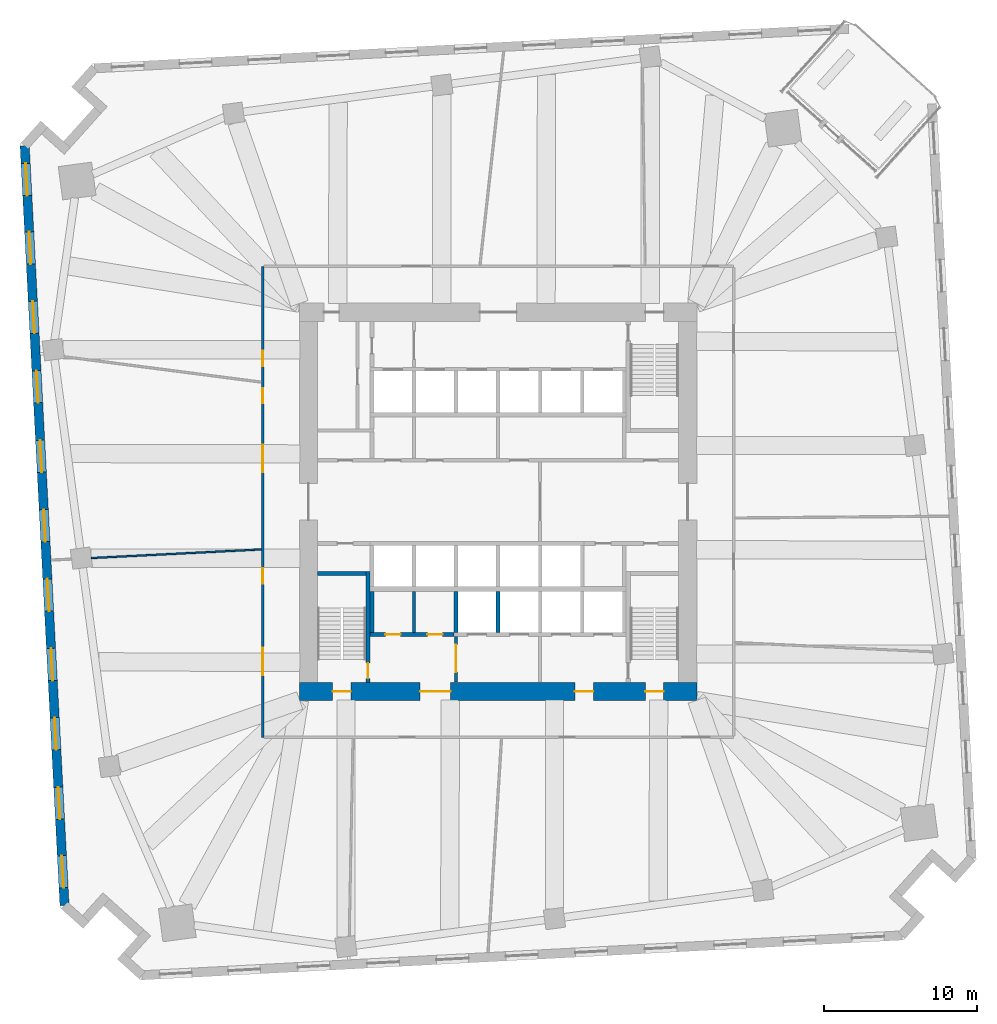
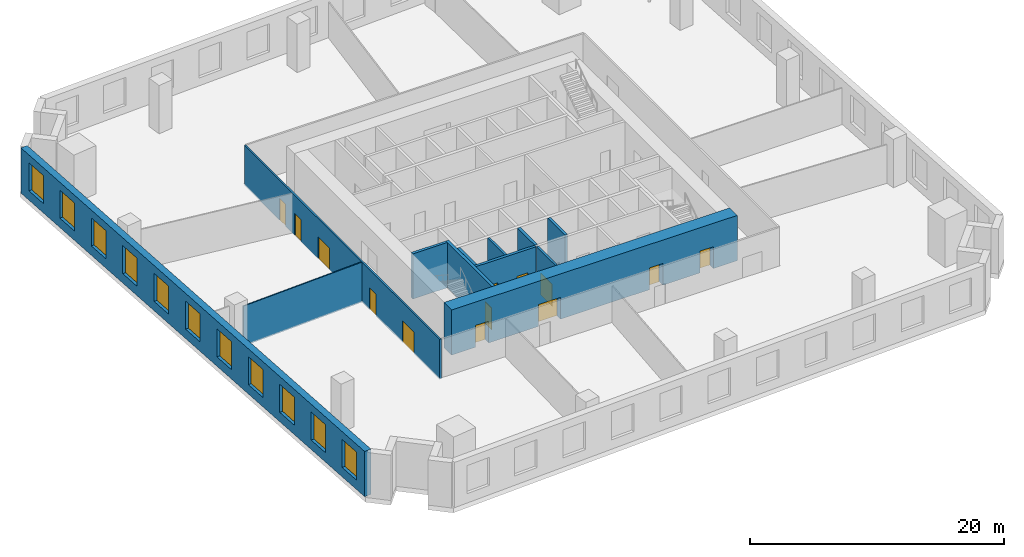
# One storey, part 4 of 10: 13 doors, 12 walls, 11 windows, 24 openings.
"""IFC4 building model written with IfcOpenShell, lengths in metres."""

import ifcopenshell
import ifcopenshell.guid

model = None  # the IFC model being written
_history = None  # IfcOwnerHistory: only IFC2X3 demands one
_inside = {}  # id of a spatial element -> (the spatial element, [elements in it])
_under = {}  # id of a project, library or spatial element -> (it, [spatial elements below it])
_declared = {}  # id of a project -> (the project, [libraries it declares])
_typed = {}  # id of a type object -> (the type object, [elements of that type])
_made_of = {}  # id of a material, layer set ... -> (it, [elements and type objects made of it])


def new_model(schema):
    """Start an empty IFC model of exactly this schema.

    Asked for "IFC4X3", IfcOpenShell would pick the latest addendum, in which some entities
    have other attributes; the version numbers below select the first issue.
    IFC2X3 requires an IfcOwnerHistory on every rooted entity: one is made here for all.
    """
    global model, _history
    if schema == "IFC4X3":
        model = ifcopenshell.file(schema_version=(4, 3, 0, 0))
    else:
        model = ifcopenshell.file(schema=schema)
    _inside.clear()
    _under.clear()
    _declared.clear()
    _typed.clear()
    _made_of.clear()
    _history = None
    if model.schema == "IFC2X3":
        org = make("IfcOrganization", Name="unknown")
        user = make(
            "IfcPersonAndOrganization",
            ThePerson=make("IfcPerson", FamilyName="unknown"),
            TheOrganization=org,
        )
        app = make(
            "IfcApplication",
            ApplicationDeveloper=org,
            Version="unknown",
            ApplicationFullName="unknown",
            ApplicationIdentifier="unknown",
        )
        _history = make(
            "IfcOwnerHistory",
            OwningUser=user,
            OwningApplication=app,
            ChangeAction="ADDED",
            CreationDate=0,
        )
    return model


def make(cls, **values):
    """One entity of the class cls with the attributes given. An attribute that is None is left unset."""
    return model.create_entity(
        cls, **{name: value for name, value in values.items() if value is not None}
    )


def rooted(cls, **values):
    """An entity with a GlobalId (a new one), such as an element, a storey or a relation."""
    return make(cls, GlobalId=ifcopenshell.guid.new(), OwnerHistory=_history, **values)


def si_unit(unit_type, name, prefix=None):
    """IfcSIUnit, for example si_unit("LENGTHUNIT", "METRE", prefix="MILLI")."""
    return make("IfcSIUnit", UnitType=unit_type, Prefix=prefix, Name=name)


def assignment(units):
    """IfcUnitAssignment: the units of a project."""
    return None if units is None else make("IfcUnitAssignment", Units=units)


def point(xyz):
    """IfcCartesianPoint."""
    return None if xyz is None else make("IfcCartesianPoint", Coordinates=xyz)


def direction(xyz):
    """IfcDirection."""
    return None if xyz is None else make("IfcDirection", DirectionRatios=xyz)


def frame(location, z_axis=None, x_axis=None):
    """IfcAxis2Placement3D, a coordinate frame: its origin and axes. An axis left out is left unset."""
    return make(
        "IfcAxis2Placement3D",
        Location=point(location),
        Axis=direction(z_axis),
        RefDirection=direction(x_axis),
    )


def frame_2d(location, x_axis=None):
    """IfcAxis2Placement2D, a coordinate frame in the plane: its origin and x axis."""
    return make(
        "IfcAxis2Placement2D", Location=point(location), RefDirection=direction(x_axis)
    )


def origin():
    """The frame at (0, 0, 0) with its axes left unset."""
    return frame((0.0, 0.0, 0.0))


def place(relative_to, where):
    """IfcLocalPlacement: puts the frame where relative to a parent placement (None: the world)."""
    return make(
        "IfcLocalPlacement", PlacementRelTo=relative_to, RelativePlacement=where
    )


def context(
    kind, dimensions, precision=None, world=None, true_north=None, identifier=None
):
    """IfcGeometricRepresentationContext, for example the 3D "Model" context."""
    return make(
        "IfcGeometricRepresentationContext",
        ContextIdentifier=identifier,
        ContextType=kind,
        CoordinateSpaceDimension=dimensions,
        Precision=precision,
        WorldCoordinateSystem=world,
        TrueNorth=true_north,
    )


def subcontext(parent, identifier, kind, view, scale=None):
    """IfcGeometricRepresentationSubContext, for example "Body" below "Model"."""
    return make(
        "IfcGeometricRepresentationSubContext",
        ContextIdentifier=identifier,
        ContextType=kind,
        ParentContext=parent,
        TargetScale=scale,
        TargetView=view,
    )


def project(units=None, contexts=None):
    """IfcProject with its units and contexts."""
    return rooted(
        "IfcProject",
        Name="project",
        RepresentationContexts=contexts,
        UnitsInContext=assignment(units),
    )


def spatial(cls, under=None, at=None, **own):
    """A site, building, storey or space (cls), placed at a placement, below another one or the project."""
    s = rooted(cls, ObjectPlacement=at, **own)
    if under is not None:
        _under.setdefault(under.id(), (under, []))[1].append(s)
    return s


def profile(cls, at=None, kind="AREA", **sizes):
    """A parametric profile (cls). Its sizes go by their IFC names, for example OverallWidth=200.0."""
    return make(cls, ProfileType=kind, Position=at, **sizes)


def rectangle(**sizes):
    """IfcRectangleProfileDef."""
    return profile("IfcRectangleProfileDef", **sizes)


def extrude(swept, where, along, depth):
    """IfcExtrudedAreaSolid: the profile swept, set in the frame where, extruded along a direction by depth."""
    return make(
        "IfcExtrudedAreaSolid",
        SweptArea=swept,
        Position=where,
        ExtrudedDirection=direction(along),
        Depth=depth,
    )


def shape(context_of_items, identifier, shape_type, items):
    """IfcShapeRepresentation: the items that make up one representation, for example the "Body"."""
    return make(
        "IfcShapeRepresentation",
        ContextOfItems=context_of_items,
        RepresentationIdentifier=identifier,
        RepresentationType=shape_type,
        Items=items,
    )


def material(Name=None, Category=None):
    """IfcMaterial."""
    return make("IfcMaterial", Name=Name, Category=Category)


def layer(
    of_material, thickness, ventilated=None, Name=None, Category=None, Priority=None
):
    """IfcMaterialLayer: one layer of a wall or slab, of a material (None: an air gap)."""
    return make(
        "IfcMaterialLayer",
        Material=of_material,
        LayerThickness=thickness,
        IsVentilated=ventilated,
        Name=Name,
        Category=Category,
        Priority=Priority,
    )


def layer_set(layers, Name=None):
    """IfcMaterialLayerSet."""
    return make("IfcMaterialLayerSet", MaterialLayers=layers, LayerSetName=Name)


def made_of(thing, what):
    """Note that an element or type object is made of a material, layer set ...; save() writes the relation."""
    if what is not None:
        _made_of.setdefault(what.id(), (what, []))[1].append(thing)
    return thing


def type_object(cls, material=None, **own):
    """A type object (cls), such as IfcWallType, which elements share."""
    return made_of(rooted(cls, **own), material)


def element(
    cls,
    number,
    at=None,
    inside=None,
    cuts=None,
    type_object=None,
    material=None,
    context=None,
    identifier="Body",
    shape_type=None,
    held_by="IfcProductDefinitionShape",
    body=None,
    shapes=None,
    **own,
):
    """One element of the class cls, such as IfcWall. Its Tag is "e" and its number.

    at: its placement. inside: the storey or other place that contains it. cuts: it is an
    opening in that element (IfcRelVoidsElement). A single representation is given by context,
    identifier, shape_type and body (its items); several are given by shapes. held_by: the class
    of the entity that holds the representations. save() writes the other relations.
    """
    e = rooted(cls, Tag="e%d" % number, ObjectPlacement=at, **own)
    if body is not None:
        shapes = [shape(context, identifier, shape_type, body)]
    if shapes is not None:
        e.Representation = make(held_by, Representations=shapes)
    if inside is not None:
        _inside.setdefault(inside.id(), (inside, []))[1].append(e)
    if cuts is not None:
        rooted(
            "IfcRelVoidsElement", RelatingBuildingElement=cuts, RelatedOpeningElement=e
        )
    if type_object is not None:
        _typed.setdefault(type_object.id(), (type_object, []))[1].append(e)
    return made_of(e, material)


def fill(opening, filler):
    """IfcRelFillsElement: the door or window that sits in an opening."""
    return rooted(
        "IfcRelFillsElement",
        RelatingOpeningElement=opening,
        RelatedBuildingElement=filler,
    )


def aggregate(whole, parts):
    """IfcRelAggregates: a whole, such as a stair, and the parts it consists of."""
    return rooted("IfcRelAggregates", RelatingObject=whole, RelatedObjects=parts)


def save(model, path):
    """Write the relations noted so far, then the file.

    IfcRelAggregates (storeys below a building ...), IfcRelContainedInSpatialStructure (elements
    in a storey), IfcRelDefinesByType, IfcRelAssociatesMaterial and IfcRelDeclares: one each for
    every whole, place, type object, material and project.
    """
    for whole, parts in _under.values():
        aggregate(whole, parts)
    for where, things in _inside.values():
        rooted(
            "IfcRelContainedInSpatialStructure",
            RelatedElements=things,
            RelatingStructure=where,
        )
    for kind, things in _typed.values():
        rooted("IfcRelDefinesByType", RelatedObjects=things, RelatingType=kind)
    for what, things in _made_of.values():
        rooted("IfcRelAssociatesMaterial", RelatedObjects=things, RelatingMaterial=what)
    for by, libraries in _declared.values():
        rooted("IfcRelDeclares", RelatingContext=by, RelatedDefinitions=libraries)
    model.write(path)


model = new_model("IFC4")

# Units and contexts
model_context = context("Model", 3, precision=1e-05, world=origin(), true_north=direction((0.0, 1.0)))
body_context = subcontext(model_context, "Body", "Model", "MODEL_VIEW")
ifc_project = project(units=[si_unit("LENGTHUNIT", "METRE"), si_unit("AREAUNIT", "SQUARE_METRE"), si_unit("VOLUMEUNIT", "CUBIC_METRE"), si_unit("PLANEANGLEUNIT", "RADIAN"), si_unit("MASSUNIT", "GRAM", prefix="KILO")], contexts=[model_context])

# Site, building, storey
site_placement = place(None, origin())
site = spatial("IfcSite", under=ifc_project, at=site_placement, CompositionType="ELEMENT")
building_placement = place(site_placement, origin())
building = spatial("IfcBuilding", under=site, at=building_placement, Name="Dilmun Exchange Tower", CompositionType="ELEMENT")
storey_placement = place(building_placement, frame((0.0, 0.0, 32.10009765625)))
storey = spatial("IfcBuildingStorey", under=building, at=storey_placement, Name="L07", CompositionType="ELEMENT", Elevation=32.10009765625)

# Wall, opening, door
ifc_material_1 = material(Name="Concrete C40/50", Category="concrete")
ifc_layer_1 = layer(ifc_material_1, 0.199951171875)
ifc_layer_set_1 = layer_set([ifc_layer_1], Name="Concrete C40/50")
wall_type_1 = type_object("IfcWallType", Name="Core partition wall 200", PredefinedType="PARTITIONING", material=ifc_layer_set_1)
wall_1_placement = place(storey_placement, frame((-2.75, -11.794921875, 0.0), z_axis=(0.0, 0.0, 1.0), x_axis=(0.0, 1.0, 0.0)))
wall_1 = element("IfcWall", 1, at=wall_1_placement, inside=storey, type_object=wall_type_1, Name="L07 core partition wall 01", PredefinedType="PARTITIONING", context=body_context, shape_type="SweptSolid", body=[
    extrude(rectangle(XDim=2.989990234375, YDim=0.199951171875, at=frame_2d((1.4951171875, 0.0))), origin(), (0.0, 0.0, 1.0), 4.349853515625),
])
opening_1_placement = place(wall_1_placement, frame((0.657470703125, 0.0, 0.0)))
opening_1 = element("IfcOpeningElement", 2, at=opening_1_placement, cuts=wall_1, Name="Opening CD5", PredefinedType="OPENING", context=body_context, shape_type="SweptSolid", body=[
    extrude(rectangle(XDim=1.800048828125, YDim=2.10009765625, at=frame_2d((0.89990234375, 1.050048828125))), frame((0.0, 0.10986328125, 0.0), z_axis=(0.0, -1.0, 0.0), x_axis=(1.0, 0.0, 0.0)), (0.0, 0.0, 1.0), 0.219970703125),
])
ifc_material_2 = material(Name="Fire-rated steel door set", Category="steel")
door_type_1 = type_object("IfcDoorType", Name="Stair exit door 1800x2100", OperationType="SINGLE_SWING_LEFT", PredefinedType="DOOR", material=ifc_material_2)
door_1_placement = place(opening_1_placement, origin())
door_1 = element("IfcDoor", 3, at=door_1_placement, inside=storey, type_object=door_type_1, Name="L07 door Service lobby east", OperationType="SINGLE_SWING_LEFT", OverallHeight=2.10009765625, OverallWidth=1.800048828125, PredefinedType="DOOR", context=body_context, shape_type="SweptSolid", body=[
    extrude(rectangle(XDim=1.800048828125, YDim=2.10009765625, at=frame_2d((0.89990234375, 1.050048828125))), frame((0.0, 0.02490234375, 0.0), z_axis=(0.0, -1.0, 0.0), x_axis=(1.0, 0.0, 0.0)), (0.0, 0.0, 1.0), 0.050048828125),
])
fill(opening_1, door_1)

# Wall
wall_2_placement = place(storey_placement, frame((-5.5, -8.544921875, 0.0), z_axis=(0.0, 0.0, 1.0), x_axis=(0.0, 1.0, 0.0)))
element("IfcWall", 4, at=wall_2_placement, inside=storey, type_object=wall_type_1, Name="L07 core partition wall 05", PredefinedType="PARTITIONING", context=body_context, shape_type="SweptSolid", body=[
    extrude(rectangle(XDim=2.68994140625, YDim=0.199951171875, at=frame_2d((1.344970703125, 0.0))), origin(), (0.0, 0.0, 1.0), 4.349853515625),
])

# Wall, openings, doors
ifc_layer_2 = layer(ifc_material_1, 0.25)
ifc_layer_set_2 = layer_set([ifc_layer_2], Name="Concrete C40/50")
wall_type_2 = type_object("IfcWallType", Name="Core partition wall 250", PredefinedType="PARTITIONING", material=ifc_layer_set_2)
wall_3_placement = place(storey_placement, frame((-8.3701171875, -8.675048828125, 0.0), z_axis=(0.0, 0.0, 1.0), x_axis=(1.0, 0.0, 0.0)))
wall_3 = element("IfcWall", 5, at=wall_3_placement, inside=storey, type_object=wall_type_2, Name="L07 core partition wall 03", PredefinedType="PARTITIONING", context=body_context, shape_type="SweptSolid", body=[
    extrude(rectangle(XDim=5.490234375, YDim=0.25, at=frame_2d((2.7451171875, 0.0))), origin(), (0.0, 0.0, 1.0), 4.349853515625),
])
opening_2_placement = place(wall_3_placement, frame((0.9951171875, 0.0, 0.0)))
opening_2 = element("IfcOpeningElement", 6, at=opening_2_placement, cuts=wall_3, Name="Opening CD4", PredefinedType="OPENING", context=body_context, shape_type="SweptSolid", body=[
    extrude(rectangle(XDim=1.0, YDim=2.10009765625, at=frame_2d((0.5, 1.050048828125))), frame((0.0, 0.135009765625, 0.0), z_axis=(0.0, -1.0, 0.0), x_axis=(1.0, 0.0, 0.0)), (0.0, 0.0, 1.0), 0.27001953125),
])
opening_3_placement = place(wall_3_placement, frame((3.7451171875, 0.0, 0.0)))
opening_3 = element("IfcOpeningElement", 7, at=opening_3_placement, cuts=wall_3, Name="Opening CD4", PredefinedType="OPENING", context=body_context, shape_type="SweptSolid", body=[
    extrude(rectangle(XDim=1.0, YDim=2.10009765625, at=frame_2d((0.5, 1.050048828125))), frame((0.0, 0.135009765625, 0.0), z_axis=(0.0, -1.0, 0.0), x_axis=(1.0, 0.0, 0.0)), (0.0, 0.0, 1.0), 0.27001953125),
])
door_type_2 = type_object("IfcDoorType", Name="Core room door 1000x2100", OperationType="SINGLE_SWING_LEFT", PredefinedType="DOOR", material=ifc_material_2)
door_2_placement = place(opening_2_placement, origin())
door_2 = element("IfcDoor", 8, at=door_2_placement, inside=storey, type_object=door_type_2, Name="L07 door Male WC", OperationType="SINGLE_SWING_RIGHT", OverallHeight=2.10009765625, OverallWidth=1.0, PredefinedType="DOOR", context=body_context, shape_type="SweptSolid", body=[
    extrude(rectangle(XDim=1.0, YDim=2.10009765625, at=frame_2d((0.5, 1.050048828125))), frame((0.0, 0.02490234375, 0.0), z_axis=(0.0, -1.0, 0.0), x_axis=(1.0, 0.0, 0.0)), (0.0, 0.0, 1.0), 0.050048828125),
])
fill(opening_2, door_2)
door_3_placement = place(opening_3_placement, origin())
door_3 = element("IfcDoor", 9, at=door_3_placement, inside=storey, type_object=door_type_2, Name="L07 door Female WC", OperationType="SINGLE_SWING_RIGHT", OverallHeight=2.10009765625, OverallWidth=1.0, PredefinedType="DOOR", context=body_context, shape_type="SweptSolid", body=[
    extrude(rectangle(XDim=1.0, YDim=2.10009765625, at=frame_2d((0.5, 1.050048828125))), frame((0.0, 0.02490234375, 0.0), z_axis=(0.0, -1.0, 0.0), x_axis=(1.0, 0.0, 0.0)), (0.0, 0.0, 1.0), 0.050048828125),
])
fill(opening_3, door_3)

# Wall
wall_4_placement = place(storey_placement, frame((-8.25, -8.544921875, 0.0), z_axis=(0.0, 0.0, 1.0), x_axis=(0.0, 1.0, 0.0)))
element("IfcWall", 10, at=wall_4_placement, inside=storey, type_object=wall_type_2, Name="L07 core partition wall 04", PredefinedType="PARTITIONING", context=body_context, shape_type="SweptSolid", body=[
    extrude(rectangle(XDim=2.68994140625, YDim=0.25, at=frame_2d((1.344970703125, 0.0))), origin(), (0.0, 0.0, 1.0), 4.349853515625),
])

# Wall, openings, doors
ifc_material_3 = material(Name="Concrete C80/95", Category="concrete")
ifc_layer_3 = layer(ifc_material_3, 1.199951171875)
ifc_layer_set_3 = layer_set([ifc_layer_3], Name="Concrete C80/95")
wall_type_3 = type_object("IfcWallType", Name="Core shear wall 1200 Concrete C80/95", PredefinedType="SHEAR", material=ifc_layer_set_3)
wall_5_placement = place(storey_placement, frame((-13.0, -12.39990234375, 0.0), z_axis=(0.0, 0.0, 1.0), x_axis=(1.0, 0.0, 0.0)))
wall_5 = element("IfcWall", 11, at=wall_5_placement, inside=storey, type_object=wall_type_3, Name="L07 core shear wall S", PredefinedType="SHEAR", context=body_context, shape_type="SweptSolid", body=[
    extrude(rectangle(XDim=26.0, YDim=1.199951171875, at=frame_2d((13.0, 0.0))), origin(), (0.0, 0.0, 1.0), 4.349853515625),
])
opening_4_placement = place(wall_5_placement, frame((7.89990234375, 0.0, 0.0)))
opening_4 = element("IfcOpeningElement", 12, at=opening_4_placement, cuts=wall_5, Name="Opening CD2", PredefinedType="OPENING", context=body_context, shape_type="SweptSolid", body=[
    extrude(rectangle(XDim=2.0, YDim=2.10009765625, at=frame_2d((1.0, 1.050048828125))), frame((0.0, 0.60986328125, 0.0), z_axis=(0.0, -1.0, 0.0), x_axis=(1.0, 0.0, 0.0)), (0.0, 0.0, 1.0), 1.219970703125),
])
opening_5_placement = place(wall_5_placement, frame((18.02490234375, 0.0, 0.0)))
opening_5 = element("IfcOpeningElement", 13, at=opening_5_placement, cuts=wall_5, Name="Opening CD3", PredefinedType="OPENING", context=body_context, shape_type="SweptSolid", body=[
    extrude(rectangle(XDim=1.199951171875, YDim=2.10009765625, at=frame_2d((0.60009765625, 1.050048828125))), frame((0.0, 0.60986328125, 0.0), z_axis=(0.0, -1.0, 0.0), x_axis=(1.0, 0.0, 0.0)), (0.0, 0.0, 1.0), 1.219970703125),
])
opening_6_placement = place(wall_5_placement, frame((2.175048828125, 0.0, 0.0)))
opening_6 = element("IfcOpeningElement", 14, at=opening_6_placement, cuts=wall_5, Name="Opening CD3", PredefinedType="OPENING", context=body_context, shape_type="SweptSolid", body=[
    extrude(rectangle(XDim=1.199951171875, YDim=2.10009765625, at=frame_2d((0.60009765625, 1.050048828125))), frame((0.0, 0.60986328125, 0.0), z_axis=(0.0, -1.0, 0.0), x_axis=(1.0, 0.0, 0.0)), (0.0, 0.0, 1.0), 1.219970703125),
])
opening_7_placement = place(wall_5_placement, frame((22.625, 0.0, 0.0)))
opening_7 = element("IfcOpeningElement", 15, at=opening_7_placement, cuts=wall_5, Name="Opening CD3", PredefinedType="OPENING", context=body_context, shape_type="SweptSolid", body=[
    extrude(rectangle(XDim=1.199951171875, YDim=2.10009765625, at=frame_2d((0.60009765625, 1.050048828125))), frame((0.0, 0.60986328125, 0.0), z_axis=(0.0, -1.0, 0.0), x_axis=(1.0, 0.0, 0.0)), (0.0, 0.0, 1.0), 1.219970703125),
])
door_type_3 = type_object("IfcDoorType", Name="Core service door 2000x2100", OperationType="DOUBLE_DOOR_DOUBLE_SWING", PredefinedType="DOOR", material=ifc_material_2)
door_4_placement = place(opening_4_placement, origin())
door_4 = element("IfcDoor", 16, at=door_4_placement, inside=storey, type_object=door_type_3, Name="L07 door South service lobby", OperationType="SINGLE_SWING_LEFT", OverallHeight=2.10009765625, OverallWidth=2.0, PredefinedType="DOOR", context=body_context, shape_type="SweptSolid", body=[
    extrude(rectangle(XDim=2.0, YDim=2.10009765625, at=frame_2d((1.0, 1.050048828125))), frame((0.0, 0.02490234375, 0.0), z_axis=(0.0, -1.0, 0.0), x_axis=(1.0, 0.0, 0.0)), (0.0, 0.0, 1.0), 0.050048828125),
])
fill(opening_4, door_4)
door_type_4 = type_object("IfcDoorType", Name="Stair exit door 1200x2100", OperationType="SINGLE_SWING_LEFT", PredefinedType="DOOR", material=ifc_material_2)
door_5_placement = place(opening_5_placement, origin())
door_5 = element("IfcDoor", 17, at=door_5_placement, inside=storey, type_object=door_type_4, Name="L07 door Fire-fighting lobby", OperationType="SINGLE_SWING_LEFT", OverallHeight=2.10009765625, OverallWidth=1.199951171875, PredefinedType="DOOR", context=body_context, shape_type="SweptSolid", body=[
    extrude(rectangle(XDim=1.199951171875, YDim=2.10009765625, at=frame_2d((0.60009765625, 1.050048828125))), frame((0.0, 0.02490234375, 0.0), z_axis=(0.0, -1.0, 0.0), x_axis=(1.0, 0.0, 0.0)), (0.0, 0.0, 1.0), 0.050048828125),
])
fill(opening_5, door_5)
door_6_placement = place(opening_6_placement, origin())
door_6 = element("IfcDoor", 18, at=door_6_placement, inside=storey, type_object=door_type_4, Name="L07 door Stair ST2", OperationType="SINGLE_SWING_LEFT", OverallHeight=2.10009765625, OverallWidth=1.199951171875, PredefinedType="DOOR", context=body_context, shape_type="SweptSolid", body=[
    extrude(rectangle(XDim=1.199951171875, YDim=2.10009765625, at=frame_2d((0.60009765625, 1.050048828125))), frame((0.0, 0.02490234375, 0.0), z_axis=(0.0, -1.0, 0.0), x_axis=(1.0, 0.0, 0.0)), (0.0, 0.0, 1.0), 0.050048828125),
])
fill(opening_6, door_6)
door_7_placement = place(opening_7_placement, origin())
door_7 = element("IfcDoor", 19, at=door_7_placement, inside=storey, type_object=door_type_4, Name="L07 door Stair ST3", OperationType="SINGLE_SWING_LEFT", OverallHeight=2.10009765625, OverallWidth=1.199951171875, PredefinedType="DOOR", context=body_context, shape_type="SweptSolid", body=[
    extrude(rectangle(XDim=1.199951171875, YDim=2.10009765625, at=frame_2d((0.60009765625, 1.050048828125))), frame((0.0, 0.02490234375, 0.0), z_axis=(0.0, -1.0, 0.0), x_axis=(1.0, 0.0, 0.0)), (0.0, 0.0, 1.0), 0.050048828125),
])
fill(opening_7, door_7)

ifc_material_4 = material(Name="Corridor wall 150")
ifc_layer_4 = layer(ifc_material_4, 0.14990234375)
ifc_layer_set_4 = layer_set([ifc_layer_4], Name="Corridor wall 150")
wall_type_4 = type_object("IfcWallType", Name="Corridor wall 150", PredefinedType="PARTITIONING", material=ifc_layer_set_4)
wall_6_placement = place(storey_placement, frame((-15.39990234375, -15.39990234375, 0.0), z_axis=(0.0, 0.0, 1.0), x_axis=(0.0, 1.0, 0.0)))
wall_6 = element("IfcWall", 20, at=wall_6_placement, inside=storey, type_object=wall_type_4, Name="Corridor wall", PredefinedType="PARTITIONING", context=body_context, shape_type="SweptSolid", body=[
    extrude(rectangle(XDim=30.7998046875, YDim=0.14990234375, at=frame_2d((15.39990234375, 0.0))), origin(), (0.0, 0.0, 1.0), 3.849853515625),
])
opening_8_placement = place(wall_6_placement, frame((17.34228515625, 0.0, 0.0)))
opening_8 = element("IfcOpeningElement", 21, at=opening_8_placement, cuts=wall_6, Name="Opening TF05-D01", PredefinedType="OPENING", context=body_context, shape_type="SweptSolid", body=[
    extrude(rectangle(XDim=1.800048828125, YDim=2.10009765625, at=frame_2d((0.89990234375, 1.050048828125))), frame((0.0, 0.0849609375, 0.0), z_axis=(0.0, -1.0, 0.0), x_axis=(1.0, 0.0, 0.0)), (0.0, 0.0, 1.0), 0.169921875),
])
opening_9_placement = place(wall_6_placement, frame((21.84228515625, 0.0, 0.0)))
opening_9 = element("IfcOpeningElement", 22, at=opening_9_placement, cuts=wall_6, Name="Opening TF05-D02", PredefinedType="OPENING", context=body_context, shape_type="SweptSolid", body=[
    extrude(rectangle(XDim=1.0, YDim=2.10009765625, at=frame_2d((0.5, 1.050048828125))), frame((0.0, 0.0849609375, 0.0), z_axis=(0.0, -1.0, 0.0), x_axis=(1.0, 0.0, 0.0)), (0.0, 0.0, 1.0), 0.169921875),
])
opening_10_placement = place(wall_6_placement, frame((4.050048828125, 0.0, 0.0)))
opening_10 = element("IfcOpeningElement", 23, at=opening_10_placement, cuts=wall_6, Name="Opening TF05-D03", PredefinedType="OPENING", context=body_context, shape_type="SweptSolid", body=[
    extrude(rectangle(XDim=1.800048828125, YDim=2.10009765625, at=frame_2d((0.89990234375, 1.050048828125))), frame((0.0, 0.0849609375, 0.0), z_axis=(0.0, -1.0, 0.0), x_axis=(1.0, 0.0, 0.0)), (0.0, 0.0, 1.0), 0.169921875),
])
opening_11_placement = place(wall_6_placement, frame((10.050048828125, 0.0, 0.0)))
opening_11 = element("IfcOpeningElement", 24, at=opening_11_placement, cuts=wall_6, Name="Opening TF05-D04", PredefinedType="OPENING", context=body_context, shape_type="SweptSolid", body=[
    extrude(rectangle(XDim=1.0, YDim=2.10009765625, at=frame_2d((0.5, 1.050048828125))), frame((0.0, 0.0849609375, 0.0), z_axis=(0.0, -1.0, 0.0), x_axis=(1.0, 0.0, 0.0)), (0.0, 0.0, 1.0), 0.169921875),
])
opening_12_placement = place(wall_6_placement, frame((24.265869140625, 0.0, 0.0)))
opening_12 = element("IfcOpeningElement", 25, at=opening_12_placement, cuts=wall_6, Name="Opening TF05-D06", PredefinedType="OPENING", context=body_context, shape_type="SweptSolid", body=[
    extrude(rectangle(XDim=1.0, YDim=2.10009765625, at=frame_2d((0.5, 1.050048828125))), frame((0.0, 0.0849609375, 0.0), z_axis=(0.0, -1.0, 0.0), x_axis=(1.0, 0.0, 0.0)), (0.0, 0.0, 1.0), 0.169921875),
])
ifc_material_5 = material(Name="Fire door 1000 x 2100")
door_type_5 = type_object("IfcDoorType", Name="Fire door 1000 x 2100", OperationType="NOTDEFINED", PredefinedType="DOOR", material=ifc_material_5)
door_8_placement = place(opening_9_placement, origin())
door_8 = element("IfcDoor", 26, at=door_8_placement, inside=storey, type_object=door_type_5, Name="Door TF05-D02", OperationType="SINGLE_SWING_RIGHT", OverallHeight=2.10009765625, OverallWidth=1.0, PredefinedType="DOOR", context=body_context, shape_type="SweptSolid", body=[
    extrude(rectangle(XDim=1.0, YDim=2.10009765625, at=frame_2d((0.5, 1.050048828125))), frame((0.0, 0.02490234375, 0.0), z_axis=(0.0, -1.0, 0.0), x_axis=(1.0, 0.0, 0.0)), (0.0, 0.0, 1.0), 0.050048828125),
])
fill(opening_9, door_8)
door_9_placement = place(opening_11_placement, origin())
door_9 = element("IfcDoor", 27, at=door_9_placement, inside=storey, type_object=door_type_5, Name="Door TF05-D04", OperationType="SINGLE_SWING_RIGHT", OverallHeight=2.10009765625, OverallWidth=1.0, PredefinedType="DOOR", context=body_context, shape_type="SweptSolid", body=[
    extrude(rectangle(XDim=1.0, YDim=2.10009765625, at=frame_2d((0.5, 1.050048828125))), frame((0.0, 0.02490234375, 0.0), z_axis=(0.0, -1.0, 0.0), x_axis=(1.0, 0.0, 0.0)), (0.0, 0.0, 1.0), 0.050048828125),
])
fill(opening_11, door_9)
door_10_placement = place(opening_12_placement, origin())
door_10 = element("IfcDoor", 28, at=door_10_placement, inside=storey, type_object=door_type_5, Name="Door TF05-D06", OperationType="SINGLE_SWING_LEFT", OverallHeight=2.10009765625, OverallWidth=1.0, PredefinedType="DOOR", context=body_context, shape_type="SweptSolid", body=[
    extrude(rectangle(XDim=1.0, YDim=2.10009765625, at=frame_2d((0.5, 1.050048828125))), frame((0.0, 0.02490234375, 0.0), z_axis=(0.0, -1.0, 0.0), x_axis=(1.0, 0.0, 0.0)), (0.0, 0.0, 1.0), 0.050048828125),
])
fill(opening_12, door_10)
ifc_material_6 = material(Name="Fire door pair 1800 x 2100")
door_type_6 = type_object("IfcDoorType", Name="Fire door pair 1800 x 2100", OperationType="NOTDEFINED", PredefinedType="DOOR", material=ifc_material_6)
door_11_placement = place(opening_8_placement, origin())
door_11 = element("IfcDoor", 29, at=door_11_placement, inside=storey, type_object=door_type_6, Name="Door TF05-D01", OperationType="DOUBLE_DOOR_SINGLE_SWING", OverallHeight=2.10009765625, OverallWidth=1.800048828125, PredefinedType="DOOR", context=body_context, shape_type="SweptSolid", body=[
    extrude(rectangle(XDim=1.800048828125, YDim=2.10009765625, at=frame_2d((0.89990234375, 1.050048828125))), frame((0.0, 0.02490234375, 0.0), z_axis=(0.0, -1.0, 0.0), x_axis=(1.0, 0.0, 0.0)), (0.0, 0.0, 1.0), 0.050048828125),
])
fill(opening_8, door_11)
door_12_placement = place(opening_10_placement, origin())
door_12 = element("IfcDoor", 30, at=door_12_placement, inside=storey, type_object=door_type_6, Name="Door TF05-D03", OperationType="DOUBLE_DOOR_SINGLE_SWING", OverallHeight=2.10009765625, OverallWidth=1.800048828125, PredefinedType="DOOR", context=body_context, shape_type="SweptSolid", body=[
    extrude(rectangle(XDim=1.800048828125, YDim=2.10009765625, at=frame_2d((0.89990234375, 1.050048828125))), frame((0.0, 0.02490234375, 0.0), z_axis=(0.0, -1.0, 0.0), x_axis=(1.0, 0.0, 0.0)), (0.0, 0.0, 1.0), 0.050048828125),
])
fill(opening_10, door_12)

# Walls
ifc_layer_5 = layer(ifc_material_1, 0.25)
ifc_layer_set_5 = layer_set([ifc_layer_5], Name="Concrete C40/50")
wall_type_5 = type_object("IfcWallType", Name="Lift shaft wall 250", PredefinedType="SOLIDWALL", material=ifc_layer_set_5)
for number, where, z_axis, x_axis, name in (
    (31, (-2.75, -8.550048828125, 0.0), (0.0, 0.0, 1.0), (0.0, 1.0, 0.0), "L07 lift shaft divider S22"),
    (32, (0.0, -8.550048828125, 0.0), (0.0, 0.0, 1.0), (0.0, 1.0, 0.0), "L07 lift shaft divider S23"),
):
    element("IfcWall", number, at=place(storey_placement, frame(where, z_axis=z_axis, x_axis=x_axis)), inside=storey, type_object=wall_type_5, Name=name, PredefinedType="SOLIDWALL", context=body_context, shape_type="SweptSolid", body=[
        extrude(rectangle(XDim=2.699951171875, YDim=0.25, at=frame_2d((1.35009765625, 0.0))), origin(), (0.0, 0.0, 1.0), 4.349853515625),
    ])
ifc_material_7 = material(Name="Partition 100")
ifc_layer_6 = layer(ifc_material_7, 0.10009765625)
ifc_layer_set_6 = layer_set([ifc_layer_6], Name="Partition 100")
wall_type_6 = type_object("IfcWallType", Name="Partition 100", PredefinedType="PARTITIONING", material=ifc_layer_set_6)
wall_7_placement = place(storey_placement, frame((-26.597900390625, -3.67529296875, 0.0), z_axis=(0.0, 0.0, 1.0), x_axis=(0.998709825914, 0.050780740671, 0.0)))
element("IfcWall", 33, at=wall_7_placement, inside=storey, type_object=wall_type_6, Name="Partition", PredefinedType="PARTITIONING", context=body_context, shape_type="SweptSolid", body=[
    extrude(rectangle(XDim=11.134765625, YDim=0.10009765625, at=frame_2d((5.5673828125, 0.0))), origin(), (0.0, 0.0, 1.0), 3.849853515625),
])

# Wall, openings, windows
ifc_material_8 = material(Name="Precast concrete C50/60", Category="concrete")
ifc_layer_7 = layer(ifc_material_8, 0.60009765625)
ifc_layer_set_7 = layer_set([ifc_layer_7], Name="Precast concrete C50/60")
wall_type_7 = type_object("IfcWallType", Name="Precast stone-clad wall 600", PredefinedType="STANDARD", material=ifc_layer_set_7)
wall_8_placement = place(storey_placement, frame((-30.961181640625, 23.287353515625, 0.0), z_axis=(0.0, 0.0, 1.0), x_axis=(0.052335269612, -0.998629570739, 0.0)))
wall_8 = element("IfcWall", 34, at=wall_8_placement, inside=storey, type_object=wall_type_7, Name="Facade wall L07-09", PredefinedType="STANDARD", context=body_context, shape_type="SweptSolid", body=[
    extrude(rectangle(XDim=49.75146484375, YDim=0.60009765625, at=frame_2d((24.875732421875, 0.0))), origin(), (0.0, 0.0, 1.0), 4.349853515625),
])
opening_13_placement = place(wall_8_placement, frame((1.16064453125, 0.0, 0.89990234375)))
opening_13 = element("IfcOpeningElement", 35, at=opening_13_placement, cuts=wall_8, Name="Opening W210-270", PredefinedType="OPENING", context=body_context, shape_type="SweptSolid", body=[
    extrude(rectangle(XDim=2.10009765625, YDim=2.699951171875, at=frame_2d((1.050048828125, 1.35009765625))), frame((0.0, 0.31005859375, 0.0), z_axis=(0.0, -1.0, 0.0), x_axis=(1.0, 0.0, 0.0)), (0.0, 0.0, 1.0), 0.6201171875),
])
opening_14_placement = place(wall_8_placement, frame((5.643798828125, 0.0, 0.89990234375)))
opening_14 = element("IfcOpeningElement", 36, at=opening_14_placement, cuts=wall_8, Name="Opening W210-270", PredefinedType="OPENING", context=body_context, shape_type="SweptSolid", body=[
    extrude(rectangle(XDim=2.10009765625, YDim=2.699951171875, at=frame_2d((1.050048828125, 1.35009765625))), frame((0.0, 0.31005859375, 0.0), z_axis=(0.0, -1.0, 0.0), x_axis=(1.0, 0.0, 0.0)), (0.0, 0.0, 1.0), 0.6201171875),
])
opening_15_placement = place(wall_8_placement, frame((10.189453125, 0.0, 0.89990234375)))
opening_15 = element("IfcOpeningElement", 37, at=opening_15_placement, cuts=wall_8, Name="Opening W210-270", PredefinedType="OPENING", context=body_context, shape_type="SweptSolid", body=[
    extrude(rectangle(XDim=2.10009765625, YDim=2.699951171875, at=frame_2d((1.050048828125, 1.35009765625))), frame((0.0, 0.31005859375, 0.0), z_axis=(0.0, -1.0, 0.0), x_axis=(1.0, 0.0, 0.0)), (0.0, 0.0, 1.0), 0.6201171875),
])
opening_16_placement = place(wall_8_placement, frame((14.73486328125, 0.0, 0.89990234375)))
opening_16 = element("IfcOpeningElement", 38, at=opening_16_placement, cuts=wall_8, Name="Opening W210-270", PredefinedType="OPENING", context=body_context, shape_type="SweptSolid", body=[
    extrude(rectangle(XDim=2.10009765625, YDim=2.699951171875, at=frame_2d((1.050048828125, 1.35009765625))), frame((0.0, 0.31005859375, 0.0), z_axis=(0.0, -1.0, 0.0), x_axis=(1.0, 0.0, 0.0)), (0.0, 0.0, 1.0), 0.6201171875),
])
opening_17_placement = place(wall_8_placement, frame((19.2802734375, 0.0, 0.89990234375)))
opening_17 = element("IfcOpeningElement", 39, at=opening_17_placement, cuts=wall_8, Name="Opening W210-270", PredefinedType="OPENING", context=body_context, shape_type="SweptSolid", body=[
    extrude(rectangle(XDim=2.10009765625, YDim=2.699951171875, at=frame_2d((1.050048828125, 1.35009765625))), frame((0.0, 0.31005859375, 0.0), z_axis=(0.0, -1.0, 0.0), x_axis=(1.0, 0.0, 0.0)), (0.0, 0.0, 1.0), 0.6201171875),
])
opening_18_placement = place(wall_8_placement, frame((23.82568359375, 0.0, 0.89990234375)))
opening_18 = element("IfcOpeningElement", 40, at=opening_18_placement, cuts=wall_8, Name="Opening W210-270", PredefinedType="OPENING", context=body_context, shape_type="SweptSolid", body=[
    extrude(rectangle(XDim=2.10009765625, YDim=2.699951171875, at=frame_2d((1.050048828125, 1.35009765625))), frame((0.0, 0.31005859375, 0.0), z_axis=(0.0, -1.0, 0.0), x_axis=(1.0, 0.0, 0.0)), (0.0, 0.0, 1.0), 0.6201171875),
])
opening_19_placement = place(wall_8_placement, frame((28.37109375, 0.0, 0.89990234375)))
opening_19 = element("IfcOpeningElement", 41, at=opening_19_placement, cuts=wall_8, Name="Opening W210-270", PredefinedType="OPENING", context=body_context, shape_type="SweptSolid", body=[
    extrude(rectangle(XDim=2.10009765625, YDim=2.699951171875, at=frame_2d((1.050048828125, 1.35009765625))), frame((0.0, 0.31005859375, 0.0), z_axis=(0.0, -1.0, 0.0), x_axis=(1.0, 0.0, 0.0)), (0.0, 0.0, 1.0), 0.6201171875),
])
opening_20_placement = place(wall_8_placement, frame((32.91650390625, 0.0, 0.89990234375)))
opening_20 = element("IfcOpeningElement", 42, at=opening_20_placement, cuts=wall_8, Name="Opening W210-270", PredefinedType="OPENING", context=body_context, shape_type="SweptSolid", body=[
    extrude(rectangle(XDim=2.10009765625, YDim=2.699951171875, at=frame_2d((1.050048828125, 1.35009765625))), frame((0.0, 0.31005859375, 0.0), z_axis=(0.0, -1.0, 0.0), x_axis=(1.0, 0.0, 0.0)), (0.0, 0.0, 1.0), 0.6201171875),
])
opening_21_placement = place(wall_8_placement, frame((37.462158203125, 0.0, 0.89990234375)))
opening_21 = element("IfcOpeningElement", 43, at=opening_21_placement, cuts=wall_8, Name="Opening W210-270", PredefinedType="OPENING", context=body_context, shape_type="SweptSolid", body=[
    extrude(rectangle(XDim=2.10009765625, YDim=2.699951171875, at=frame_2d((1.050048828125, 1.35009765625))), frame((0.0, 0.31005859375, 0.0), z_axis=(0.0, -1.0, 0.0), x_axis=(1.0, 0.0, 0.0)), (0.0, 0.0, 1.0), 0.6201171875),
])
opening_22_placement = place(wall_8_placement, frame((42.007568359375, 0.0, 0.89990234375)))
opening_22 = element("IfcOpeningElement", 44, at=opening_22_placement, cuts=wall_8, Name="Opening W210-270", PredefinedType="OPENING", context=body_context, shape_type="SweptSolid", body=[
    extrude(rectangle(XDim=2.10009765625, YDim=2.699951171875, at=frame_2d((1.050048828125, 1.35009765625))), frame((0.0, 0.31005859375, 0.0), z_axis=(0.0, -1.0, 0.0), x_axis=(1.0, 0.0, 0.0)), (0.0, 0.0, 1.0), 0.6201171875),
])
opening_23_placement = place(wall_8_placement, frame((46.490966796875, 0.0, 0.89990234375)))
opening_23 = element("IfcOpeningElement", 45, at=opening_23_placement, cuts=wall_8, Name="Opening W210-270", PredefinedType="OPENING", context=body_context, shape_type="SweptSolid", body=[
    extrude(rectangle(XDim=2.10009765625, YDim=2.699951171875, at=frame_2d((1.050048828125, 1.35009765625))), frame((0.0, 0.31005859375, 0.0), z_axis=(0.0, -1.0, 0.0), x_axis=(1.0, 0.0, 0.0)), (0.0, 0.0, 1.0), 0.6201171875),
])
ifc_material_9 = material(Name="Clear low-emissivity glass in aluminium frame", Category="aluminium")
window_type = type_object("IfcWindowType", Name="Punched window 2100 x 2700", PartitioningType="DOUBLE_PANEL_VERTICAL", PredefinedType="WINDOW", material=ifc_material_9)
window_1_placement = place(opening_13_placement, origin())
window_1 = element("IfcWindow", 46, at=window_1_placement, inside=storey, type_object=window_type, Name="Window 10.1", OverallHeight=2.699951171875, OverallWidth=2.10009765625, PartitioningType="SINGLE_PANEL", PredefinedType="WINDOW", context=body_context, shape_type="SweptSolid", body=[
    extrude(rectangle(XDim=2.10009765625, YDim=2.699951171875, at=frame_2d((1.050048828125, 1.35009765625))), frame((0.0, 0.030029296875, 0.0), z_axis=(0.0, -1.0, 0.0), x_axis=(1.0, 0.0, 0.0)), (0.0, 0.0, 1.0), 0.06005859375),
])
fill(opening_13, window_1)
window_2_placement = place(opening_14_placement, origin())
window_2 = element("IfcWindow", 47, at=window_2_placement, inside=storey, type_object=window_type, Name="Window 10.2", OverallHeight=2.699951171875, OverallWidth=2.10009765625, PartitioningType="SINGLE_PANEL", PredefinedType="WINDOW", context=body_context, shape_type="SweptSolid", body=[
    extrude(rectangle(XDim=2.10009765625, YDim=2.699951171875, at=frame_2d((1.050048828125, 1.35009765625))), frame((0.0, 0.030029296875, 0.0), z_axis=(0.0, -1.0, 0.0), x_axis=(1.0, 0.0, 0.0)), (0.0, 0.0, 1.0), 0.06005859375),
])
fill(opening_14, window_2)
window_3_placement = place(opening_15_placement, origin())
window_3 = element("IfcWindow", 48, at=window_3_placement, inside=storey, type_object=window_type, Name="Window 10.3", OverallHeight=2.699951171875, OverallWidth=2.10009765625, PartitioningType="SINGLE_PANEL", PredefinedType="WINDOW", context=body_context, shape_type="SweptSolid", body=[
    extrude(rectangle(XDim=2.10009765625, YDim=2.699951171875, at=frame_2d((1.050048828125, 1.35009765625))), frame((0.0, 0.030029296875, 0.0), z_axis=(0.0, -1.0, 0.0), x_axis=(1.0, 0.0, 0.0)), (0.0, 0.0, 1.0), 0.06005859375),
])
fill(opening_15, window_3)
window_4_placement = place(opening_16_placement, origin())
window_4 = element("IfcWindow", 49, at=window_4_placement, inside=storey, type_object=window_type, Name="Window 10.4", OverallHeight=2.699951171875, OverallWidth=2.10009765625, PartitioningType="SINGLE_PANEL", PredefinedType="WINDOW", context=body_context, shape_type="SweptSolid", body=[
    extrude(rectangle(XDim=2.10009765625, YDim=2.699951171875, at=frame_2d((1.050048828125, 1.35009765625))), frame((0.0, 0.030029296875, 0.0), z_axis=(0.0, -1.0, 0.0), x_axis=(1.0, 0.0, 0.0)), (0.0, 0.0, 1.0), 0.06005859375),
])
fill(opening_16, window_4)
window_5_placement = place(opening_17_placement, origin())
window_5 = element("IfcWindow", 50, at=window_5_placement, inside=storey, type_object=window_type, Name="Window 10.5", OverallHeight=2.699951171875, OverallWidth=2.10009765625, PartitioningType="SINGLE_PANEL", PredefinedType="WINDOW", context=body_context, shape_type="SweptSolid", body=[
    extrude(rectangle(XDim=2.10009765625, YDim=2.699951171875, at=frame_2d((1.050048828125, 1.35009765625))), frame((0.0, 0.030029296875, 0.0), z_axis=(0.0, -1.0, 0.0), x_axis=(1.0, 0.0, 0.0)), (0.0, 0.0, 1.0), 0.06005859375),
])
fill(opening_17, window_5)
window_6_placement = place(opening_18_placement, origin())
window_6 = element("IfcWindow", 51, at=window_6_placement, inside=storey, type_object=window_type, Name="Window 10.6", OverallHeight=2.699951171875, OverallWidth=2.10009765625, PartitioningType="SINGLE_PANEL", PredefinedType="WINDOW", context=body_context, shape_type="SweptSolid", body=[
    extrude(rectangle(XDim=2.10009765625, YDim=2.699951171875, at=frame_2d((1.050048828125, 1.35009765625))), frame((0.0, 0.030029296875, 0.0), z_axis=(0.0, -1.0, 0.0), x_axis=(1.0, 0.0, 0.0)), (0.0, 0.0, 1.0), 0.06005859375),
])
fill(opening_18, window_6)
window_7_placement = place(opening_19_placement, origin())
window_7 = element("IfcWindow", 52, at=window_7_placement, inside=storey, type_object=window_type, Name="Window 10.7", OverallHeight=2.699951171875, OverallWidth=2.10009765625, PartitioningType="SINGLE_PANEL", PredefinedType="WINDOW", context=body_context, shape_type="SweptSolid", body=[
    extrude(rectangle(XDim=2.10009765625, YDim=2.699951171875, at=frame_2d((1.050048828125, 1.35009765625))), frame((0.0, 0.030029296875, 0.0), z_axis=(0.0, -1.0, 0.0), x_axis=(1.0, 0.0, 0.0)), (0.0, 0.0, 1.0), 0.06005859375),
])
fill(opening_19, window_7)
window_8_placement = place(opening_20_placement, origin())
window_8 = element("IfcWindow", 53, at=window_8_placement, inside=storey, type_object=window_type, Name="Window 10.8", OverallHeight=2.699951171875, OverallWidth=2.10009765625, PartitioningType="SINGLE_PANEL", PredefinedType="WINDOW", context=body_context, shape_type="SweptSolid", body=[
    extrude(rectangle(XDim=2.10009765625, YDim=2.699951171875, at=frame_2d((1.050048828125, 1.35009765625))), frame((0.0, 0.030029296875, 0.0), z_axis=(0.0, -1.0, 0.0), x_axis=(1.0, 0.0, 0.0)), (0.0, 0.0, 1.0), 0.06005859375),
])
fill(opening_20, window_8)
window_9_placement = place(opening_21_placement, origin())
window_9 = element("IfcWindow", 54, at=window_9_placement, inside=storey, type_object=window_type, Name="Window 10.9", OverallHeight=2.699951171875, OverallWidth=2.10009765625, PartitioningType="SINGLE_PANEL", PredefinedType="WINDOW", context=body_context, shape_type="SweptSolid", body=[
    extrude(rectangle(XDim=2.10009765625, YDim=2.699951171875, at=frame_2d((1.050048828125, 1.35009765625))), frame((0.0, 0.030029296875, 0.0), z_axis=(0.0, -1.0, 0.0), x_axis=(1.0, 0.0, 0.0)), (0.0, 0.0, 1.0), 0.06005859375),
])
fill(opening_21, window_9)
window_10_placement = place(opening_22_placement, origin())
window_10 = element("IfcWindow", 55, at=window_10_placement, inside=storey, type_object=window_type, Name="Window 10.10", OverallHeight=2.699951171875, OverallWidth=2.10009765625, PartitioningType="SINGLE_PANEL", PredefinedType="WINDOW", context=body_context, shape_type="SweptSolid", body=[
    extrude(rectangle(XDim=2.10009765625, YDim=2.699951171875, at=frame_2d((1.050048828125, 1.35009765625))), frame((0.0, 0.030029296875, 0.0), z_axis=(0.0, -1.0, 0.0), x_axis=(1.0, 0.0, 0.0)), (0.0, 0.0, 1.0), 0.06005859375),
])
fill(opening_22, window_10)
window_11_placement = place(opening_23_placement, origin())
window_11 = element("IfcWindow", 56, at=window_11_placement, inside=storey, type_object=window_type, Name="Window 10.11", OverallHeight=2.699951171875, OverallWidth=2.10009765625, PartitioningType="SINGLE_PANEL", PredefinedType="WINDOW", context=body_context, shape_type="SweptSolid", body=[
    extrude(rectangle(XDim=2.10009765625, YDim=2.699951171875, at=frame_2d((1.050048828125, 1.35009765625))), frame((0.0, 0.030029296875, 0.0), z_axis=(0.0, -1.0, 0.0), x_axis=(1.0, 0.0, 0.0)), (0.0, 0.0, 1.0), 0.06005859375),
])
fill(opening_23, window_11)

# Wall
ifc_layer_8 = layer(ifc_material_1, 0.25)
ifc_layer_set_8 = layer_set([ifc_layer_8], Name="Concrete C40/50")
wall_type_8 = type_object("IfcWallType", Name="Stair end wall 250", PredefinedType="SOLIDWALL", material=ifc_layer_set_8)
wall_9_placement = place(storey_placement, frame((-8.64990234375, -4.675048828125, 0.0), z_axis=(0.0, 0.0, 1.0), x_axis=(-1.0, 0.0, 0.0)))
element("IfcWall", 57, at=wall_9_placement, inside=storey, type_object=wall_type_8, Name="L07 ST2 far wall", PredefinedType="SOLIDWALL", context=body_context, shape_type="SweptSolid", body=[
    extrude(rectangle(XDim=3.150146484375, YDim=0.25, at=frame_2d((1.5751953125, 0.0))), origin(), (0.0, 0.0, 1.0), 4.349853515625),
])

# Wall, opening, door
ifc_layer_9 = layer(ifc_material_1, 0.27490234375)
ifc_layer_set_9 = layer_set([ifc_layer_9], Name="Concrete C40/50")
wall_type_9 = type_object("IfcWallType", Name="Stair wall 275", PredefinedType="SOLIDWALL", material=ifc_layer_set_9)
wall_10_placement = place(storey_placement, frame((-8.512451171875, -4.550048828125, 0.0), z_axis=(0.0, 0.0, 1.0), x_axis=(0.0, -1.0, 0.0)))
wall_10 = element("IfcWall", 58, at=wall_10_placement, inside=storey, type_object=wall_type_9, Name="L07 ST2 wall to lift block", PredefinedType="SOLIDWALL", context=body_context, shape_type="SweptSolid", body=[
    extrude(rectangle(XDim=7.25, YDim=0.27490234375, at=frame_2d((3.625, 0.0))), origin(), (0.0, 0.0, 1.0), 4.349853515625),
])
opening_24_placement = place(wall_10_placement, frame((6.0, 0.0, 0.0)))
opening_24 = element("IfcOpeningElement", 59, at=opening_24_placement, cuts=wall_10, Name="Opening CD4", PredefinedType="OPENING", context=body_context, shape_type="SweptSolid", body=[
    extrude(rectangle(XDim=1.0, YDim=2.10009765625, at=frame_2d((0.5, 1.050048828125))), frame((0.0, 0.1474609375, 0.0), z_axis=(0.0, -1.0, 0.0), x_axis=(1.0, 0.0, 0.0)), (0.0, 0.0, 1.0), 0.294921875),
])
door_13_placement = place(opening_24_placement, origin())
door_13 = element("IfcDoor", 60, at=door_13_placement, inside=storey, type_object=door_type_2, Name="L07 door ST2 from lobby", OperationType="SINGLE_SWING_LEFT", OverallHeight=2.10009765625, OverallWidth=1.0, PredefinedType="DOOR", context=body_context, shape_type="SweptSolid", body=[
    extrude(rectangle(XDim=1.0, YDim=2.10009765625, at=frame_2d((0.5, 1.050048828125))), frame((0.0, 0.02490234375, 0.0), z_axis=(0.0, -1.0, 0.0), x_axis=(1.0, 0.0, 0.0)), (0.0, 0.0, 1.0), 0.050048828125),
])
fill(opening_24, door_13)

save(model, "model.ifc")
